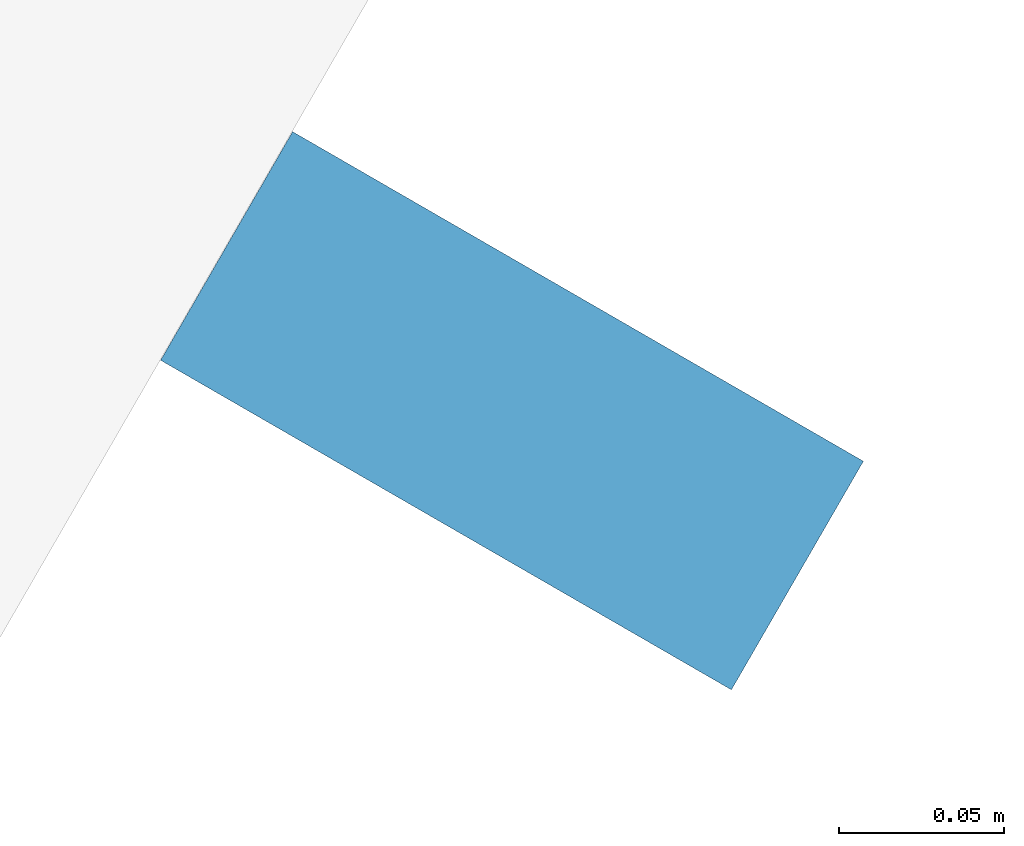
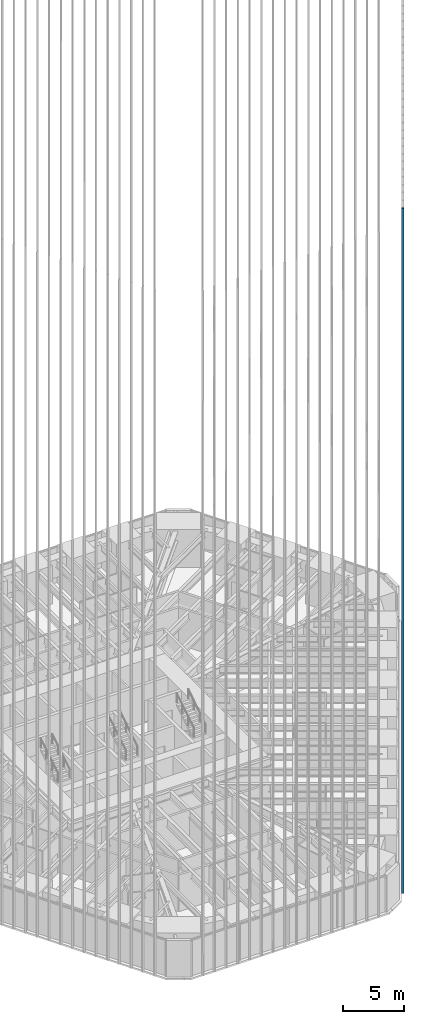
# One storey, part 79 of 256: 1 member, 1 element without a shape of its own.
"""IFC4 building model written with IfcOpenShell, lengths in metres."""

from ifc_helpers import new_model, si_unit, direction, frame, origin, origin_2d, place, context, subcontext, project, spatial, rectangle, extrude, material, material_profile, profile_set, type_object, element, aggregate, save


model = new_model("IFC4")

# Units and contexts
model_context = context("Model", 3, precision=1e-05, world=origin(), true_north=direction((0.0, 1.0)))
body_context = subcontext(model_context, "Body", "Model", "MODEL_VIEW")
ifc_project = project(units=[si_unit("LENGTHUNIT", "METRE"), si_unit("AREAUNIT", "SQUARE_METRE"), si_unit("VOLUMEUNIT", "CUBIC_METRE"), si_unit("PLANEANGLEUNIT", "RADIAN"), si_unit("MASSUNIT", "GRAM", prefix="KILO")], contexts=[model_context])

# Site, building, storey
site_placement = place(None, origin())
site = spatial("IfcSite", under=ifc_project, at=site_placement, CompositionType="ELEMENT")
building_placement = place(site_placement, origin())
building = spatial("IfcBuilding", under=site, at=building_placement, Name="Sandreach Pilgrim Tower", CompositionType="ELEMENT")
storey_placement = place(building_placement, frame((0.0, 0.0, 23.0)))
storey = spatial("IfcBuildingStorey", under=building, at=storey_placement, Name="L04", CompositionType="ELEMENT", Elevation=23.0)

# Curtain wall, member
ifc_material_1 = material(Name="Aluminium framed curtain wall", Category="aluminium")
curtain_wall_type = type_object("IfcCurtainWallType", Name="Hostel tower curtain wall", PredefinedType="NOTDEFINED", material=ifc_material_1)
curtain_wall_placement = place(storey_placement, origin())
curtain_wall = element("IfcCurtainWall", 1, at=curtain_wall_placement, inside=storey, type_object=curtain_wall_type, Name="CW-1 L04 SE", PredefinedType="NOTDEFINED")
ifc_material_2 = material(Name="Extruded terracotta on aluminium core", Category="masonry")
ifc_material_profile = material_profile(ifc_material_2, rectangle(XDim=0.080078125, YDim=0.199951171875, at=origin_2d()), Name="TBE 80X200")
ifc_profile_set = profile_set([ifc_material_profile], Name="Extruded terracotta on aluminium core")
member_type = type_object("IfcMemberType", Name="Terracotta baguette east", PredefinedType="USERDEFINED", material=ifc_profile_set)
member_placement = place(storey_placement, frame((11.68798828125, -28.453369140625, 0.0), z_axis=(0.0, 0.0, 1.0), x_axis=(-0.5, -0.866025403784, 0.0)))
member = element("IfcMember", 2, at=member_placement, type_object=member_type, Name="Baguette Z1 SE35", ObjectType="BAGUETTE", PredefinedType="USERDEFINED", context=body_context, shape_type="SweptSolid", body=[
    extrude(rectangle(XDim=0.080078125, YDim=0.199951171875, at=origin_2d()), origin(), (0.0, 0.0, 1.0), 68.239990234375),
])
aggregate(curtain_wall, [member])

save(model, "model.ifc")
